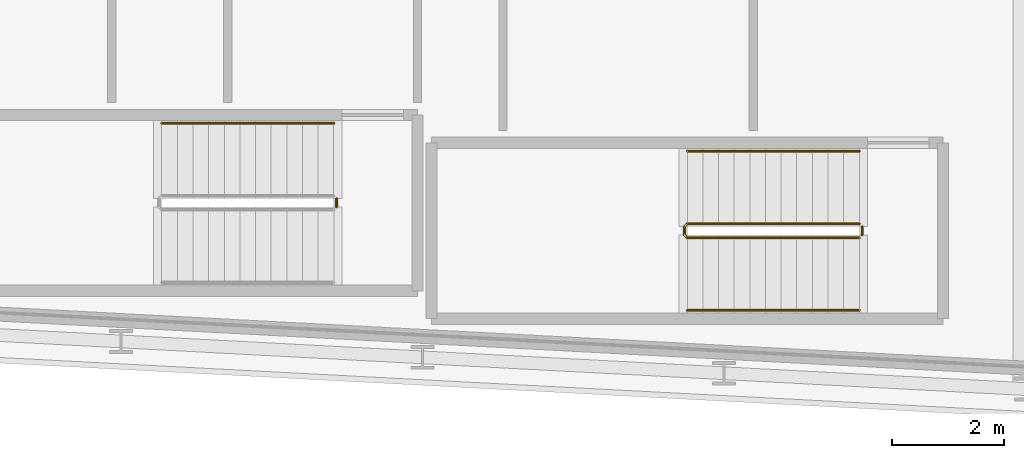
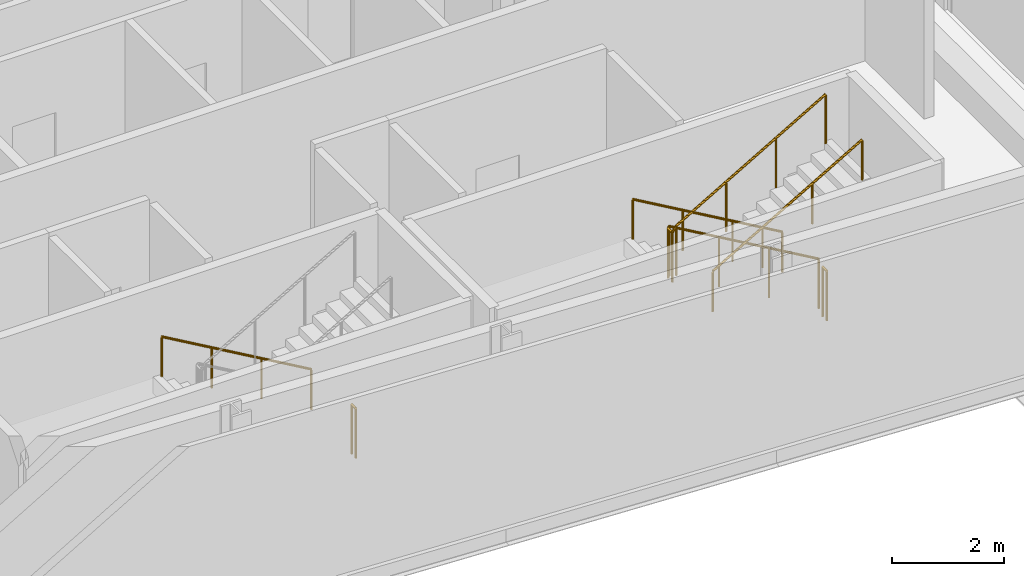
# One storey, part 26 of 29: 6 railings.
"""IFC4 building model written with IfcOpenShell, lengths in metres."""

from ifc_helpers import new_model, si_unit, direction, frame, origin, origin_2d, place, context, subcontext, project, spatial, circle, extrude, material, type_object, element, save


model = new_model("IFC4")

# Units and contexts
model_context = context("Model", 3, precision=1e-05, world=origin(), true_north=direction((0.0, 1.0)))
body_context = subcontext(model_context, "Body", "Model", "MODEL_VIEW")
ifc_project = project(units=[si_unit("LENGTHUNIT", "METRE"), si_unit("AREAUNIT", "SQUARE_METRE"), si_unit("VOLUMEUNIT", "CUBIC_METRE"), si_unit("PLANEANGLEUNIT", "RADIAN"), si_unit("MASSUNIT", "GRAM", prefix="KILO")], contexts=[model_context])

# Site, building, storey
site_placement = place(None, origin())
site = spatial("IfcSite", under=ifc_project, at=site_placement, CompositionType="ELEMENT")
building_placement = place(site_placement, origin())
building = spatial("IfcBuilding", under=site, at=building_placement, Name="Kheshtan School and Residences Tower", CompositionType="ELEMENT")
storey_placement = place(building_placement, frame((0.0, 0.0, 168.199951171875)))
storey = spatial("IfcBuildingStorey", under=building, at=storey_placement, Name="L39", CompositionType="ELEMENT", Elevation=168.199951171875)

# Railings
ifc_material_1 = material(Name="Stainless steel balustrade", Category="steel")
railing_type_1 = type_object("IfcRailingType", Name="Stair guard 1100", PredefinedType="GUARDRAIL", material=ifc_material_1)
railing_1_placement = place(storey_placement, frame((87.820068359375, 23.949951171875, 0.16259765625)))
element("IfcRailing", 1, at=railing_1_placement, inside=storey, type_object=railing_type_1, Name="L39 ST4 stair guard 1", PredefinedType="GUARDRAIL", context=body_context, shape_type="SweptSolid", body=[
    extrude(circle(Radius=0.02392578125, at=origin_2d()), frame((0.0, 0.0, 1.076171875), z_axis=(-0.864920483161, 0.0, 0.501908913857), x_axis=(0.0, -1.0, 0.0)), (0.0, 0.0, 1.0), 3.56103515625),
    extrude(circle(Radius=0.02392578125, at=origin_2d()), frame((-3.080078125, 0.0, 2.86328125), z_axis=(-0.707106781187, -0.707106781187, 0.0), x_axis=(0.707106781187, -0.707106781187, 0.0)), (0.0, 0.0, 1.0), 0.07080078125),
    extrude(circle(Radius=0.02392578125, at=origin_2d()), frame((-3.130126953125, -0.050048828125, 2.86328125), z_axis=(0.0, -1.0, 0.0), x_axis=(1.0, 0.0, 0.0)), (0.0, 0.0, 1.0), 0.14990234375),
    extrude(circle(Radius=0.02392578125, at=origin_2d()), frame((-3.130126953125, -0.199951171875, 2.86328125), z_axis=(0.282227285176, -0.282227285176, 0.916894497205), x_axis=(0.707106781187, 0.707106781187, 0.0)), (0.0, 0.0, 1.0), 0.17724609375),
    extrude(circle(Radius=0.02392578125, at=origin_2d()), frame((-3.080078125, -0.25, 3.02587890625), z_axis=(0.864890721111, 0.0, 0.501960198159), x_axis=(0.0, 1.0, 0.0)), (0.0, 0.0, 1.0), 3.561279296875),
    extrude(circle(Radius=0.02099609375, at=origin_2d()), origin(), (0.0, 0.0, 1.0), 1.052001953125),
    extrude(circle(Radius=0.02099609375, at=origin_2d()), frame((-1.026611328125, 0.0, 0.595703125)), (0.0, 0.0, 1.0), 1.052001953125),
    extrude(circle(Radius=0.02099609375, at=origin_2d()), frame((-2.053466796875, 0.0, 1.191650390625)), (0.0, 0.0, 1.0), 1.052001953125),
    extrude(circle(Radius=0.02099609375, at=origin_2d()), frame((-3.080078125, 0.0, 1.787353515625)), (0.0, 0.0, 1.0), 1.052001953125),
    extrude(circle(Radius=0.02099609375, at=origin_2d()), frame((-3.130126953125, -0.050048828125, 1.787353515625)), (0.0, 0.0, 1.0), 1.052001953125),
    extrude(circle(Radius=0.02099609375, at=origin_2d()), frame((-3.130126953125, -0.199951171875, 1.787353515625)), (0.0, 0.0, 1.0), 1.052001953125),
    extrude(circle(Radius=0.02099609375, at=origin_2d()), frame((-3.080078125, -0.25, 1.949951171875)), (0.0, 0.0, 1.0), 1.052001953125),
    extrude(circle(Radius=0.02099609375, at=origin_2d()), frame((-2.053466796875, -0.25, 2.5458984375)), (0.0, 0.0, 1.0), 1.052001953125),
    extrude(circle(Radius=0.02099609375, at=origin_2d()), frame((-1.026611328125, -0.25, 3.1416015625)), (0.0, 0.0, 1.0), 1.052001953125),
    extrude(circle(Radius=0.02099609375, at=origin_2d()), frame((0.0, -0.25, 3.737548828125)), (0.0, 0.0, 1.0), 1.052001953125),
])
for number, where, name in (
    (2, (87.8701171875, 23.89990234375, 0.0), "L39 ST4 stair guard 2"),
    (3, (78.4599609375, 24.39990234375, 0.0), "L39 ST5 stair guard 2"),
):
    element("IfcRailing", number, at=place(storey_placement, frame(where)), inside=storey, type_object=railing_type_1, Name=name, PredefinedType="GUARDRAIL", context=body_context, shape_type="SweptSolid", body=[
        extrude(circle(Radius=0.02392578125, at=origin_2d()), frame((0.0, 0.0, 1.076171875), z_axis=(0.0, -1.0, 0.0), x_axis=(1.0, 0.0, 0.0)), (0.0, 0.0, 1.0), 0.14990234375),
        extrude(circle(Radius=0.02099609375, at=origin_2d()), origin(), (0.0, 0.0, 1.0), 1.052001953125),
        extrude(circle(Radius=0.02099609375, at=origin_2d()), frame((0.0, -0.14990234375, 0.0)), (0.0, 0.0, 1.0), 1.052001953125),
    ])
ifc_material_2 = material(Name="Stainless steel handrail", Category="steel")
railing_type_2 = type_object("IfcRailingType", Name="Stair handrail 900", PredefinedType="HANDRAIL", material=ifc_material_2)
railing_2_placement = place(storey_placement, frame((87.820068359375, 25.25, 0.16259765625)))
element("IfcRailing", 4, at=railing_2_placement, inside=storey, type_object=railing_type_2, Name="L39 ST4 stair handrail 1", PredefinedType="HANDRAIL", context=body_context, shape_type="SweptSolid", body=[
    extrude(circle(Radius=0.02392578125, at=origin_2d()), frame((0.0, 0.0, 0.8759765625), z_axis=(-0.864920483161, 0.0, 0.501908913857), x_axis=(0.0, -1.0, 0.0)), (0.0, 0.0, 1.0), 3.56103515625),
    extrude(circle(Radius=0.02099609375, at=origin_2d()), origin(), (0.0, 0.0, 1.0), 0.851806640625),
    extrude(circle(Radius=0.02099609375, at=origin_2d()), frame((-1.026611328125, 0.0, 0.595703125)), (0.0, 0.0, 1.0), 0.851806640625),
    extrude(circle(Radius=0.02099609375, at=origin_2d()), frame((-2.053466796875, 0.0, 1.191650390625)), (0.0, 0.0, 1.0), 0.851806640625),
    extrude(circle(Radius=0.02099609375, at=origin_2d()), frame((-3.080078125, 0.0, 1.787353515625)), (0.0, 0.0, 1.0), 0.851806640625),
])
railing_3_placement = place(storey_placement, frame((84.739990234375, 22.39990234375, 2.112548828125)))
element("IfcRailing", 5, at=railing_3_placement, inside=storey, type_object=railing_type_2, Name="L39 ST4 stair handrail 2", PredefinedType="HANDRAIL", context=body_context, shape_type="SweptSolid", body=[
    extrude(circle(Radius=0.02392578125, at=origin_2d()), frame((0.0, 0.0, 0.8759765625), z_axis=(0.864890721111, 0.0, 0.501960198159), x_axis=(0.0, 1.0, 0.0)), (0.0, 0.0, 1.0), 3.561279296875),
    extrude(circle(Radius=0.02099609375, at=origin_2d()), origin(), (0.0, 0.0, 1.0), 0.851806640625),
    extrude(circle(Radius=0.02099609375, at=origin_2d()), frame((1.026611328125, 0.0, 0.595947265625)), (0.0, 0.0, 1.0), 0.851806640625),
    extrude(circle(Radius=0.02099609375, at=origin_2d()), frame((2.053466796875, 0.0, 1.191650390625)), (0.0, 0.0, 1.0), 0.851806640625),
    extrude(circle(Radius=0.02099609375, at=origin_2d()), frame((3.080078125, 0.0, 1.78759765625)), (0.0, 0.0, 1.0), 0.851806640625),
])
railing_4_placement = place(storey_placement, frame((78.409912109375, 25.75, 0.16259765625)))
element("IfcRailing", 6, at=railing_4_placement, inside=storey, type_object=railing_type_2, Name="L39 ST5 stair handrail 1", PredefinedType="HANDRAIL", context=body_context, shape_type="SweptSolid", body=[
    extrude(circle(Radius=0.02392578125, at=origin_2d()), frame((0.0, 0.0, 0.8759765625), z_axis=(-0.864903211148, 0.0, 0.501938676878), x_axis=(0.0, -1.0, 0.0)), (0.0, 0.0, 1.0), 3.560791015625),
    extrude(circle(Radius=0.02099609375, at=origin_2d()), origin(), (0.0, 0.0, 1.0), 0.851806640625),
    extrude(circle(Radius=0.02099609375, at=origin_2d()), frame((-1.026611328125, 0.0, 0.595703125)), (0.0, 0.0, 1.0), 0.851806640625),
    extrude(circle(Radius=0.02099609375, at=origin_2d()), frame((-2.05322265625, 0.0, 1.191650390625)), (0.0, 0.0, 1.0), 0.851806640625),
    extrude(circle(Radius=0.02099609375, at=origin_2d()), frame((-3.079833984375, 0.0, 1.787353515625)), (0.0, 0.0, 1.0), 0.851806640625),
])

save(model, "model.ifc")
